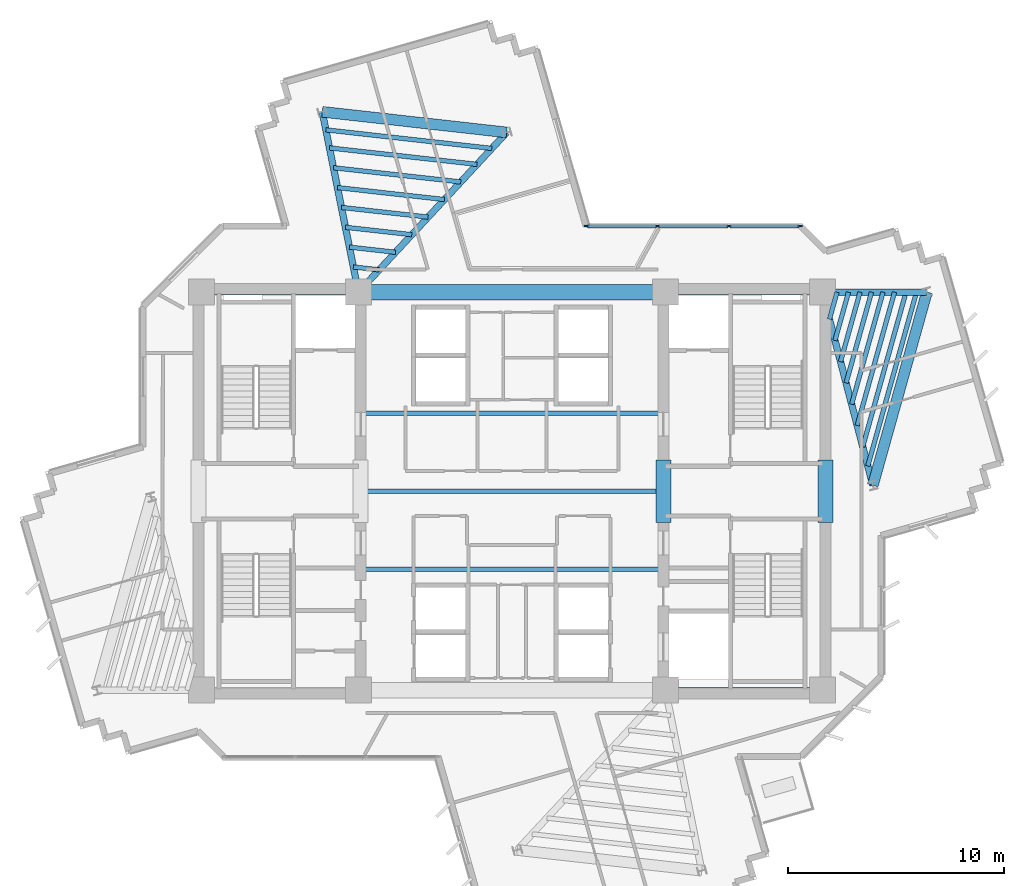
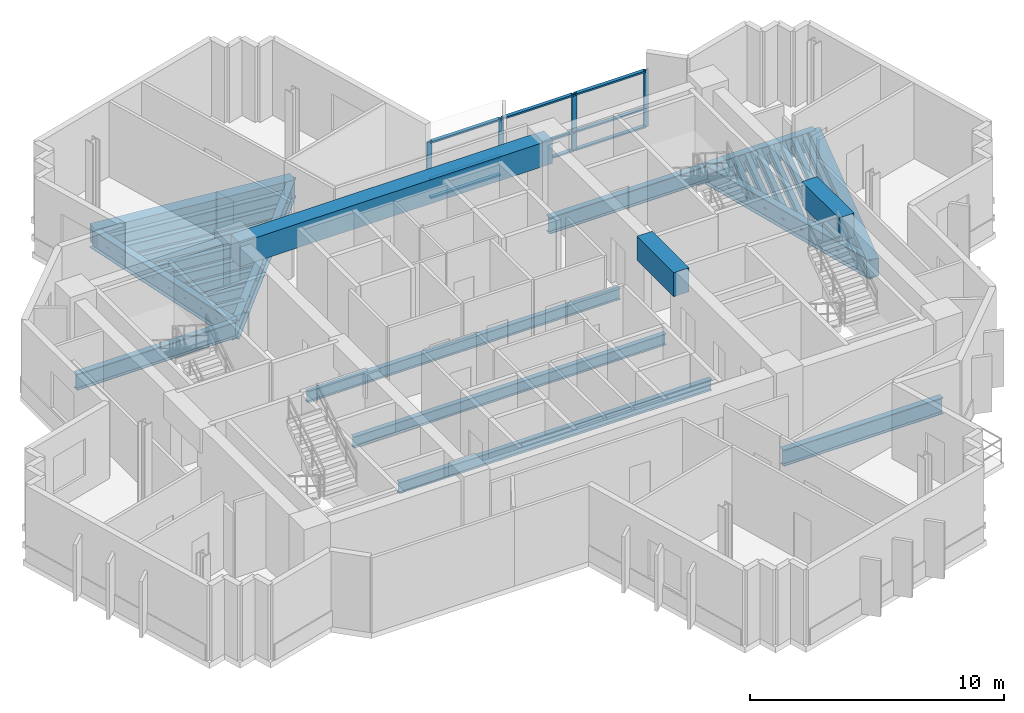
# One storey, part 3 of 14: 31 beams, 13 members, 1 element without a shape of its own.
"""IFC4 building model written with IfcOpenShell, lengths in metres."""

from ifc_helpers import new_model, si_unit, direction, frame, origin, origin_2d, place, context, subcontext, project, spatial, rectangle, i_section, extrude, source, transform, mapped, material, layer, layer_set, material_profile, profile_set, type_object, element, aggregate, save


model = new_model("IFC4")

# Units and contexts
model_context = context("Model", 3, precision=1e-05, world=origin(), true_north=direction((0.0, 1.0)))
body_context = subcontext(model_context, "Body", "Model", "MODEL_VIEW")
ifc_project = project(units=[si_unit("LENGTHUNIT", "METRE"), si_unit("AREAUNIT", "SQUARE_METRE"), si_unit("VOLUMEUNIT", "CUBIC_METRE"), si_unit("PLANEANGLEUNIT", "RADIAN"), si_unit("MASSUNIT", "GRAM", prefix="KILO")], contexts=[model_context])

# Site, building, storey
site_placement = place(None, origin())
site = spatial("IfcSite", under=ifc_project, at=site_placement, CompositionType="ELEMENT")
building_placement = place(site_placement, origin())
building = spatial("IfcBuilding", under=site, at=building_placement, Name="Zahravan Cultural Tower", CompositionType="ELEMENT")
storey_placement = place(building_placement, frame((0.0, 0.0, 205.800048828125)))
storey = spatial("IfcBuildingStorey", under=building, at=storey_placement, Name="L48", CompositionType="ELEMENT", Elevation=205.800048828125)

# Beams
ifc_material_1 = material(Name="Concrete C50/60", Category="concrete")
ifc_material_profile_1 = material_profile(ifc_material_1, rectangle(XDim=0.699951171875, YDim=1.14990234375, at=origin_2d()), Name="RC700X1150")
ifc_profile_set_1 = profile_set([ifc_material_profile_1], Name="Concrete C50/60")
beam_type_1 = type_object("IfcBeamType", Name="BM-LN-RC700X1150", PredefinedType="LINTEL", material=ifc_profile_set_1)
shared_shape_1 = source(origin(), body_context, "Body", "SweptSolid", [
    extrude(rectangle(XDim=0.699951171875, YDim=1.14990234375, at=origin_2d()), origin(), (0.0, 0.0, 1.0), 14.2001953125),
])
beam_1_placement = place(storey_placement, frame((28.89990234375, 36.199951171875, 3.044921875), z_axis=(1.0, 0.0, 0.0), x_axis=(0.0, 1.0, 0.0)))
element("IfcBeam", 1, at=beam_1_placement, inside=storey, type_object=beam_type_1, Name="L48 Beam LN-L48-N", PredefinedType="LINTEL", context=body_context, shape_type="MappedRepresentation", body=[
    mapped(shared_shape_1, transform((0.0, 0.0, 0.0), x_axis=(1.0, 0.0, 0.0), y_axis=(0.0, 1.0, 0.0), z_axis=(0.0, 0.0, 1.0), scale=1.0)),
])
shared_shape_2 = source(origin(), body_context, "Body", "SweptSolid", [
    extrude(rectangle(XDim=0.699951171875, YDim=1.14990234375, at=origin_2d()), origin(), (0.0, 0.0, 1.0), 2.89990234375),
])
for number, where, z_axis, x_axis, name in (
    (2, (43.0, 25.550048828125, 3.044921875), (0.0, 1.0, 0.0), (-1.0, 0.0, 0.0), "L48 Beam LN-L48-PEW"),
    (3, (50.5, 25.550048828125, 3.044921875), (0.0, 1.0, 0.0), (-1.0, 0.0, 0.0), "L48 Beam LN-L48-PEE"),
):
    element("IfcBeam", number, at=place(storey_placement, frame(where, z_axis=z_axis, x_axis=x_axis)), inside=storey, type_object=beam_type_1, Name=name, PredefinedType="LINTEL", context=body_context, shape_type="MappedRepresentation", body=[
        mapped(shared_shape_2, transform((0.0, 0.0, 0.0), x_axis=(1.0, 0.0, 0.0), y_axis=(0.0, 1.0, 0.0), z_axis=(0.0, 0.0, 1.0), scale=1.0)),
    ])
ifc_material_2 = material(Name="Steel ASTM A992 Grade 50", Category="steel")
ifc_material_profile_2 = material_profile(ifc_material_2, i_section(OverallWidth=0.26611328125, OverallDepth=0.780029296875, WebThickness=0.0166015625, FlangeThickness=0.030029296875, FilletRadius=0.01904296875, at=origin_2d()), Name="W30X148")
ifc_profile_set_2 = profile_set([ifc_material_profile_2], Name="Steel ASTM A992 Grade 50")
beam_type_2 = type_object("IfcBeamType", Name="BM-G-W30X148", PredefinedType="BEAM", material=ifc_profile_set_2)
shared_shape_3 = source(origin(), body_context, "Body", "SweptSolid", [
    extrude(i_section(OverallWidth=0.26611328125, OverallDepth=0.780029296875, WebThickness=0.0166015625, FlangeThickness=0.030029296875, FilletRadius=0.01904296875, at=origin_2d()), origin(), (0.0, 0.0, 1.0), 7.25),
])
for number, where, z_axis, x_axis, name in (
    (4, (21.64990234375, 36.199951171875, -0.670166015625), (1.0, 0.0, 0.0), (0.0, 1.0, 0.0), "L48 Beam BG-L48-02"),
    (5, (43.10009765625, 17.800048828125, -0.670166015625), (1.0, 0.0, 0.0), (0.0, 1.0, 0.0), "L48 Beam BG-L48-04"),
    (6, (43.10009765625, 36.199951171875, -0.670166015625), (1.0, 0.0, 0.0), (0.0, 1.0, 0.0), "L48 Beam BG-L48-05"),
):
    element("IfcBeam", number, at=place(storey_placement, frame(where, z_axis=z_axis, x_axis=x_axis)), inside=storey, type_object=beam_type_2, Name=name, PredefinedType="BEAM", context=body_context, shape_type="MappedRepresentation", body=[
        mapped(shared_shape_3, transform((0.0, 0.0, 0.0), x_axis=(1.0, 0.0, 0.0), y_axis=(0.0, 1.0, 0.0), z_axis=(0.0, 0.0, 1.0), scale=1.0)),
    ])
ifc_material_profile_3 = material_profile(ifc_material_2, i_section(OverallWidth=0.304931640625, OverallDepth=0.9189453125, WebThickness=0.017333984375, FlangeThickness=0.02783203125, FilletRadius=0.02392578125, at=origin_2d()), Name="W36X170")
ifc_profile_set_3 = profile_set([ifc_material_profile_3], Name="Steel ASTM A992 Grade 50")
beam_type_3 = type_object("IfcBeamType", Name="BM-G-W36X170", PredefinedType="BEAM", material=ifc_profile_set_3)
shared_shape_4 = source(origin(), body_context, "Body", "SweptSolid", [
    extrude(i_section(OverallWidth=0.304931640625, OverallDepth=0.9189453125, WebThickness=0.017333984375, FlangeThickness=0.02783203125, FilletRadius=0.02392578125, at=origin_2d()), origin(), (0.0, 0.0, 1.0), 9.22900390625),
])
beam_2_placement = place(storey_placement, frame((50.35009765625, 36.199951171875, -0.739501953125), z_axis=(0.252922608408, -0.967486513682, 0.0), x_axis=(0.967486513682, 0.252922608408, 0.0)))
element("IfcBeam", 7, at=beam_2_placement, inside=storey, type_object=beam_type_3, Name="L48 Beam BG-L48-11", PredefinedType="BEAM", context=body_context, shape_type="MappedRepresentation", body=[
    mapped(shared_shape_4, transform((0.0, 0.0, 0.0), x_axis=(1.0, 0.0, 0.0), y_axis=(0.0, 1.0, 0.0), z_axis=(0.0, 0.0, 1.0), scale=1.0)),
])
shared_shape_5 = source(origin(), body_context, "Body", "SweptSolid", [
    extrude(i_section(OverallWidth=0.304931640625, OverallDepth=0.9189453125, WebThickness=0.017333984375, FlangeThickness=0.02783203125, FilletRadius=0.02392578125, at=origin_2d()), origin(), (0.0, 0.0, 1.0), 4.834716796875),
])
beam_3_placement = place(storey_placement, frame((50.35009765625, 36.199951171875, -0.739501953125), z_axis=(0.99999920313, 0.001262433979, 0.0), x_axis=(-0.001262433979, 0.99999920313, 0.0)))
element("IfcBeam", 8, at=beam_3_placement, inside=storey, type_object=beam_type_3, Name="L48 Beam BG-L48-12", PredefinedType="BEAM", context=body_context, shape_type="MappedRepresentation", body=[
    mapped(shared_shape_5, transform((0.0, 0.0, 0.0), x_axis=(1.0, 0.0, 0.0), y_axis=(0.0, 1.0, 0.0), z_axis=(0.0, 0.0, 1.0), scale=1.0)),
])
shared_shape_6 = source(origin(), body_context, "Body", "SweptSolid", [
    extrude(i_section(OverallWidth=0.304931640625, OverallDepth=0.9189453125, WebThickness=0.017333984375, FlangeThickness=0.02783203125, FilletRadius=0.02392578125, at=origin_2d()), origin(), (0.0, 0.0, 1.0), 10.077880859375),
])
beam_4_placement = place(storey_placement, frame((28.89990234375, 36.199951171875, -0.739501953125), z_axis=(0.680170435587, 0.733054007938, 0.0), x_axis=(-0.733054007938, 0.680170435587, 0.0)))
element("IfcBeam", 9, at=beam_4_placement, inside=storey, type_object=beam_type_3, Name="L48 Beam BG-L48-13", PredefinedType="BEAM", context=body_context, shape_type="MappedRepresentation", body=[
    mapped(shared_shape_6, transform((0.0, 0.0, 0.0), x_axis=(1.0, 0.0, 0.0), y_axis=(0.0, 1.0, 0.0), z_axis=(0.0, 0.0, 1.0), scale=1.0)),
])
shared_shape_7 = source(origin(), body_context, "Body", "SweptSolid", [
    extrude(i_section(OverallWidth=0.304931640625, OverallDepth=0.9189453125, WebThickness=0.017333984375, FlangeThickness=0.02783203125, FilletRadius=0.02392578125, at=origin_2d()), origin(), (0.0, 0.0, 1.0), 8.50732421875),
])
beam_5_placement = place(storey_placement, frame((28.89990234375, 36.199951171875, -0.739501953125), z_axis=(-0.196524514012, 0.980498911469, 0.0), x_axis=(-0.980498911469, -0.196524514012, 0.0)))
element("IfcBeam", 10, at=beam_5_placement, inside=storey, type_object=beam_type_3, Name="L48 Beam BG-L48-14", PredefinedType="BEAM", context=body_context, shape_type="MappedRepresentation", body=[
    mapped(shared_shape_7, transform((0.0, 0.0, 0.0), x_axis=(1.0, 0.0, 0.0), y_axis=(0.0, 1.0, 0.0), z_axis=(0.0, 0.0, 1.0), scale=1.0)),
])
ifc_material_profile_4 = material_profile(ifc_material_1, rectangle(XDim=0.5, YDim=0.85009765625, at=origin_2d()), Name="RC500X850")
ifc_profile_set_4 = profile_set([ifc_material_profile_4], Name="Concrete C50/60")
beam_type_4 = type_object("IfcBeamType", Name="BM-SP-RC500X850", PredefinedType="SPANDREL", material=ifc_profile_set_4)
shared_shape_8 = source(origin(), body_context, "Body", "SweptSolid", [
    extrude(rectangle(XDim=0.5, YDim=0.85009765625, at=origin_2d()), origin(), (0.0, 0.0, 1.0), 9.2783203125),
])
beam_6_placement = place(storey_placement, frame((52.684326171875, 27.27099609375, -0.705078125), z_axis=(0.269497187032, 0.963001176625, 0.0), x_axis=(-0.963001176625, 0.269497187032, 0.0)))
element("IfcBeam", 11, at=beam_6_placement, inside=storey, type_object=beam_type_4, Name="L48 Beam SP-L48-17", PredefinedType="SPANDREL", context=body_context, shape_type="MappedRepresentation", body=[
    mapped(shared_shape_8, transform((0.0, 0.0, 0.0), x_axis=(1.0, 0.0, 0.0), y_axis=(0.0, 1.0, 0.0), z_axis=(0.0, 0.0, 1.0), scale=1.0)),
])
shared_shape_9 = source(origin(), body_context, "Body", "SweptSolid", [
    extrude(rectangle(XDim=0.5, YDim=0.85009765625, at=origin_2d()), origin(), (0.0, 0.0, 1.0), 8.579833984375),
])
beam_7_placement = place(storey_placement, frame((35.754638671875, 43.587646484375, -0.705078125), z_axis=(-0.9938040105, 0.11114669907, 0.0), x_axis=(-0.11114669907, -0.9938040105, 0.0)))
element("IfcBeam", 12, at=beam_7_placement, inside=storey, type_object=beam_type_4, Name="L48 Beam SP-L48-18", PredefinedType="SPANDREL", context=body_context, shape_type="MappedRepresentation", body=[
    mapped(shared_shape_9, transform((0.0, 0.0, 0.0), x_axis=(1.0, 0.0, 0.0), y_axis=(0.0, 1.0, 0.0), z_axis=(0.0, 0.0, 1.0), scale=1.0)),
])
ifc_material_profile_5 = material_profile(ifc_material_2, i_section(OverallWidth=0.2099609375, OverallDepth=0.532958984375, WebThickness=0.01025390625, FlangeThickness=0.015625, FilletRadius=0.013916015625, at=origin_2d()), Name="W21X62")
ifc_profile_set_5 = profile_set([ifc_material_profile_5], Name="Steel ASTM A992 Grade 50")
beam_type_5 = type_object("IfcBeamType", Name="BM-J-W21X62", PredefinedType="JOIST", material=ifc_profile_set_5)
shared_shape_10 = source(origin(), body_context, "Body", "SweptSolid", [
    extrude(i_section(OverallWidth=0.2099609375, OverallDepth=0.532958984375, WebThickness=0.01025390625, FlangeThickness=0.015625, FilletRadius=0.013916015625, at=origin_2d()), origin(), (0.0, 0.0, 1.0), 14.2001953125),
])
for number, where, z_axis, x_axis, name in (
    (13, (28.89990234375, 23.39990234375, -0.546630859375), (1.0, 0.0, 0.0), (0.0, 1.0, 0.0), "L48 Beam BJ-L48-19"),
    (14, (28.89990234375, 27.0, -0.546630859375), (1.0, 0.0, 0.0), (0.0, 1.0, 0.0), "L48 Beam BJ-L48-20"),
    (15, (28.89990234375, 30.60009765625, -0.546630859375), (1.0, 0.0, 0.0), (0.0, 1.0, 0.0), "L48 Beam BJ-L48-21"),
):
    element("IfcBeam", number, at=place(storey_placement, frame(where, z_axis=z_axis, x_axis=x_axis)), inside=storey, type_object=beam_type_5, Name=name, PredefinedType="JOIST", context=body_context, shape_type="MappedRepresentation", body=[
        mapped(shared_shape_10, transform((0.0, 0.0, 0.0), x_axis=(1.0, 0.0, 0.0), y_axis=(0.0, 1.0, 0.0), z_axis=(0.0, 0.0, 1.0), scale=1.0)),
    ])
shared_shape_11 = source(origin(), body_context, "Body", "SweptSolid", [
    extrude(i_section(OverallWidth=0.2099609375, OverallDepth=0.532958984375, WebThickness=0.01025390625, FlangeThickness=0.015625, FilletRadius=0.013916015625, at=origin_2d()), origin(), (0.0, 0.0, 1.0), 1.299072265625),
])
beam_8_placement = place(storey_placement, frame((50.6767578125, 34.949951171875, -0.546630859375), z_axis=(0.269504444708, 0.962999145525, 0.0), x_axis=(-0.962999145525, 0.269504444708, 0.0)))
element("IfcBeam", 16, at=beam_8_placement, inside=storey, type_object=beam_type_5, Name="L48 Beam BJ-L48-38", PredefinedType="JOIST", context=body_context, shape_type="MappedRepresentation", body=[
    mapped(shared_shape_11, transform((0.0, 0.0, 0.0), x_axis=(1.0, 0.0, 0.0), y_axis=(0.0, 1.0, 0.0), z_axis=(0.0, 0.0, 1.0), scale=1.0)),
])
shared_shape_12 = source(origin(), body_context, "Body", "SweptSolid", [
    extrude(i_section(OverallWidth=0.2099609375, OverallDepth=0.532958984375, WebThickness=0.01025390625, FlangeThickness=0.015625, FilletRadius=0.013916015625, at=origin_2d()), origin(), (0.0, 0.0, 1.0), 2.3193359375),
])
beam_9_placement = place(storey_placement, frame((50.93359375, 33.9677734375, -0.546630859375), z_axis=(0.269462038626, 0.963011012263, 0.0), x_axis=(-0.963011012263, 0.269462038626, 0.0)))
element("IfcBeam", 17, at=beam_9_placement, inside=storey, type_object=beam_type_5, Name="L48 Beam BJ-L48-39", PredefinedType="JOIST", context=body_context, shape_type="MappedRepresentation", body=[
    mapped(shared_shape_12, transform((0.0, 0.0, 0.0), x_axis=(1.0, 0.0, 0.0), y_axis=(0.0, 1.0, 0.0), z_axis=(0.0, 0.0, 1.0), scale=1.0)),
])
shared_shape_13 = source(origin(), body_context, "Body", "SweptSolid", [
    extrude(i_section(OverallWidth=0.2099609375, OverallDepth=0.532958984375, WebThickness=0.01025390625, FlangeThickness=0.015625, FilletRadius=0.013916015625, at=origin_2d()), origin(), (0.0, 0.0, 1.0), 3.340087890625),
])
beam_10_placement = place(storey_placement, frame((51.190185546875, 32.985595703125, -0.546630859375), z_axis=(0.269562146951, 0.962982995141, 0.0), x_axis=(-0.962982995141, 0.269562146951, 0.0)))
element("IfcBeam", 18, at=beam_10_placement, inside=storey, type_object=beam_type_5, Name="L48 Beam BJ-L48-40", PredefinedType="JOIST", context=body_context, shape_type="MappedRepresentation", body=[
    mapped(shared_shape_13, transform((0.0, 0.0, 0.0), x_axis=(1.0, 0.0, 0.0), y_axis=(0.0, 1.0, 0.0), z_axis=(0.0, 0.0, 1.0), scale=1.0)),
])
shared_shape_14 = source(origin(), body_context, "Body", "SweptSolid", [
    extrude(i_section(OverallWidth=0.2099609375, OverallDepth=0.532958984375, WebThickness=0.01025390625, FlangeThickness=0.015625, FilletRadius=0.013916015625, at=origin_2d()), origin(), (0.0, 0.0, 1.0), 4.36083984375),
])
beam_11_placement = place(storey_placement, frame((51.447021484375, 32.00341796875, -0.546630859375), z_axis=(0.269511557673, 0.962997154866, 0.0), x_axis=(-0.962997154866, 0.269511557673, 0.0)))
element("IfcBeam", 19, at=beam_11_placement, inside=storey, type_object=beam_type_5, Name="L48 Beam BJ-L48-41", PredefinedType="JOIST", context=body_context, shape_type="MappedRepresentation", body=[
    mapped(shared_shape_14, transform((0.0, 0.0, 0.0), x_axis=(1.0, 0.0, 0.0), y_axis=(0.0, 1.0, 0.0), z_axis=(0.0, 0.0, 1.0), scale=1.0)),
])
shared_shape_15 = source(origin(), body_context, "Body", "SweptSolid", [
    extrude(i_section(OverallWidth=0.2099609375, OverallDepth=0.532958984375, WebThickness=0.01025390625, FlangeThickness=0.015625, FilletRadius=0.013916015625, at=origin_2d()), origin(), (0.0, 0.0, 1.0), 5.3818359375),
])
beam_12_placement = place(storey_placement, frame((51.703857421875, 31.02099609375, -0.546630859375), z_axis=(0.269510454638, 0.962997463569, 0.0), x_axis=(-0.962997463569, 0.269510454638, 0.0)))
element("IfcBeam", 20, at=beam_12_placement, inside=storey, type_object=beam_type_5, Name="L48 Beam BJ-L48-42", PredefinedType="JOIST", context=body_context, shape_type="MappedRepresentation", body=[
    mapped(shared_shape_15, transform((0.0, 0.0, 0.0), x_axis=(1.0, 0.0, 0.0), y_axis=(0.0, 1.0, 0.0), z_axis=(0.0, 0.0, 1.0), scale=1.0)),
])
shared_shape_16 = source(origin(), body_context, "Body", "SweptSolid", [
    extrude(i_section(OverallWidth=0.2099609375, OverallDepth=0.532958984375, WebThickness=0.01025390625, FlangeThickness=0.015625, FilletRadius=0.013916015625, at=origin_2d()), origin(), (0.0, 0.0, 1.0), 6.402099609375),
])
beam_13_placement = place(storey_placement, frame((51.960693359375, 30.038818359375, -0.546630859375), z_axis=(0.269494133533, 0.963002031146, 0.0), x_axis=(-0.963002031146, 0.269494133533, 0.0)))
element("IfcBeam", 21, at=beam_13_placement, inside=storey, type_object=beam_type_5, Name="L48 Beam BJ-L48-43", PredefinedType="JOIST", context=body_context, shape_type="MappedRepresentation", body=[
    mapped(shared_shape_16, transform((0.0, 0.0, 0.0), x_axis=(1.0, 0.0, 0.0), y_axis=(0.0, 1.0, 0.0), z_axis=(0.0, 0.0, 1.0), scale=1.0)),
])
shared_shape_17 = source(origin(), body_context, "Body", "SweptSolid", [
    extrude(i_section(OverallWidth=0.2099609375, OverallDepth=0.532958984375, WebThickness=0.01025390625, FlangeThickness=0.015625, FilletRadius=0.013916015625, at=origin_2d()), origin(), (0.0, 0.0, 1.0), 7.4228515625),
])
beam_14_placement = place(storey_placement, frame((52.21728515625, 29.056640625, -0.546630859375), z_axis=(0.269504266128, 0.962999195503, 0.0), x_axis=(-0.962999195503, 0.269504266128, 0.0)))
element("IfcBeam", 22, at=beam_14_placement, inside=storey, type_object=beam_type_5, Name="L48 Beam BJ-L48-44", PredefinedType="JOIST", context=body_context, shape_type="MappedRepresentation", body=[
    mapped(shared_shape_17, transform((0.0, 0.0, 0.0), x_axis=(1.0, 0.0, 0.0), y_axis=(0.0, 1.0, 0.0), z_axis=(0.0, 0.0, 1.0), scale=1.0)),
])
shared_shape_18 = source(origin(), body_context, "Body", "SweptSolid", [
    extrude(i_section(OverallWidth=0.2099609375, OverallDepth=0.532958984375, WebThickness=0.01025390625, FlangeThickness=0.015625, FilletRadius=0.013916015625, at=origin_2d()), origin(), (0.0, 0.0, 1.0), 8.350830078125),
])
beam_15_placement = place(storey_placement, frame((52.450927734375, 28.163818359375, -0.546630859375), z_axis=(0.269496539555, 0.963001357822, 0.0), x_axis=(-0.963001357822, 0.269496539555, 0.0)))
element("IfcBeam", 23, at=beam_15_placement, inside=storey, type_object=beam_type_5, Name="L48 Beam BJ-L48-45", PredefinedType="JOIST", context=body_context, shape_type="MappedRepresentation", body=[
    mapped(shared_shape_18, transform((0.0, 0.0, 0.0), x_axis=(1.0, 0.0, 0.0), y_axis=(0.0, 1.0, 0.0), z_axis=(0.0, 0.0, 1.0), scale=1.0)),
])
shared_shape_19 = source(origin(), body_context, "Body", "SweptSolid", [
    extrude(i_section(OverallWidth=0.2099609375, OverallDepth=0.532958984375, WebThickness=0.01025390625, FlangeThickness=0.015625, FilletRadius=0.013916015625, at=origin_2d()), origin(), (0.0, 0.0, 1.0), 1.201171875),
])
beam_16_placement = place(storey_placement, frame((29.859619140625, 37.234375, -0.546630859375), z_axis=(-0.99379916149, 0.111190047317, 0.0), x_axis=(-0.111190047317, -0.99379916149, 0.0)))
element("IfcBeam", 24, at=beam_16_placement, inside=storey, type_object=beam_type_5, Name="L48 Beam BJ-L48-46", PredefinedType="JOIST", context=body_context, shape_type="MappedRepresentation", body=[
    mapped(shared_shape_19, transform((0.0, 0.0, 0.0), x_axis=(1.0, 0.0, 0.0), y_axis=(0.0, 1.0, 0.0), z_axis=(0.0, 0.0, 1.0), scale=1.0)),
])
shared_shape_20 = source(origin(), body_context, "Body", "SweptSolid", [
    extrude(i_section(OverallWidth=0.2099609375, OverallDepth=0.532958984375, WebThickness=0.01025390625, FlangeThickness=0.015625, FilletRadius=0.013916015625, at=origin_2d()), origin(), (0.0, 0.0, 1.0), 2.144775390625),
])
beam_17_placement = place(storey_placement, frame((30.613525390625, 38.046875, -0.546630859375), z_axis=(-0.993797370806, 0.111206051, 0.0), x_axis=(-0.111206051, -0.993797370806, 0.0)))
element("IfcBeam", 25, at=beam_17_placement, inside=storey, type_object=beam_type_5, Name="L48 Beam BJ-L48-47", PredefinedType="JOIST", context=body_context, shape_type="MappedRepresentation", body=[
    mapped(shared_shape_20, transform((0.0, 0.0, 0.0), x_axis=(1.0, 0.0, 0.0), y_axis=(0.0, 1.0, 0.0), z_axis=(0.0, 0.0, 1.0), scale=1.0)),
])
shared_shape_21 = source(origin(), body_context, "Body", "SweptSolid", [
    extrude(i_section(OverallWidth=0.2099609375, OverallDepth=0.532958984375, WebThickness=0.01025390625, FlangeThickness=0.015625, FilletRadius=0.013916015625, at=origin_2d()), origin(), (0.0, 0.0, 1.0), 3.088623046875),
])
beam_18_placement = place(storey_placement, frame((31.36767578125, 38.859619140625, -0.546630859375), z_axis=(-0.993805407368, 0.111134208443, 0.0), x_axis=(-0.111134208443, -0.993805407368, 0.0)))
element("IfcBeam", 26, at=beam_18_placement, inside=storey, type_object=beam_type_5, Name="L48 Beam BJ-L48-48", PredefinedType="JOIST", context=body_context, shape_type="MappedRepresentation", body=[
    mapped(shared_shape_21, transform((0.0, 0.0, 0.0), x_axis=(1.0, 0.0, 0.0), y_axis=(0.0, 1.0, 0.0), z_axis=(0.0, 0.0, 1.0), scale=1.0)),
])
shared_shape_22 = source(origin(), body_context, "Body", "SweptSolid", [
    extrude(i_section(OverallWidth=0.2099609375, OverallDepth=0.532958984375, WebThickness=0.01025390625, FlangeThickness=0.015625, FilletRadius=0.013916015625, at=origin_2d()), origin(), (0.0, 0.0, 1.0), 4.0322265625),
])
beam_19_placement = place(storey_placement, frame((32.12158203125, 39.672119140625, -0.546630859375), z_axis=(-0.993802245601, 0.11116247855, 0.0), x_axis=(-0.11116247855, -0.993802245601, 0.0)))
element("IfcBeam", 27, at=beam_19_placement, inside=storey, type_object=beam_type_5, Name="L48 Beam BJ-L48-49", PredefinedType="JOIST", context=body_context, shape_type="MappedRepresentation", body=[
    mapped(shared_shape_22, transform((0.0, 0.0, 0.0), x_axis=(1.0, 0.0, 0.0), y_axis=(0.0, 1.0, 0.0), z_axis=(0.0, 0.0, 1.0), scale=1.0)),
])
shared_shape_23 = source(origin(), body_context, "Body", "SweptSolid", [
    extrude(i_section(OverallWidth=0.2099609375, OverallDepth=0.532958984375, WebThickness=0.01025390625, FlangeThickness=0.015625, FilletRadius=0.013916015625, at=origin_2d()), origin(), (0.0, 0.0, 1.0), 4.97607421875),
])
beam_20_placement = place(storey_placement, frame((32.875732421875, 40.48486328125, -0.546630859375), z_axis=(-0.993806308517, 0.111126149723, 0.0), x_axis=(-0.111126149723, -0.993806308517, 0.0)))
element("IfcBeam", 28, at=beam_20_placement, inside=storey, type_object=beam_type_5, Name="L48 Beam BJ-L48-50", PredefinedType="JOIST", context=body_context, shape_type="MappedRepresentation", body=[
    mapped(shared_shape_23, transform((0.0, 0.0, 0.0), x_axis=(1.0, 0.0, 0.0), y_axis=(0.0, 1.0, 0.0), z_axis=(0.0, 0.0, 1.0), scale=1.0)),
])
shared_shape_24 = source(origin(), body_context, "Body", "SweptSolid", [
    extrude(i_section(OverallWidth=0.2099609375, OverallDepth=0.532958984375, WebThickness=0.01025390625, FlangeThickness=0.015625, FilletRadius=0.013916015625, at=origin_2d()), origin(), (0.0, 0.0, 1.0), 5.919921875),
])
beam_21_placement = place(storey_placement, frame((33.629638671875, 41.29736328125, -0.546630859375), z_axis=(-0.993804520866, 0.111142135602, 0.0), x_axis=(-0.111142135602, -0.993804520866, 0.0)))
element("IfcBeam", 29, at=beam_21_placement, inside=storey, type_object=beam_type_5, Name="L48 Beam BJ-L48-51", PredefinedType="JOIST", context=body_context, shape_type="MappedRepresentation", body=[
    mapped(shared_shape_24, transform((0.0, 0.0, 0.0), x_axis=(1.0, 0.0, 0.0), y_axis=(0.0, 1.0, 0.0), z_axis=(0.0, 0.0, 1.0), scale=1.0)),
])
shared_shape_25 = source(origin(), body_context, "Body", "SweptSolid", [
    extrude(i_section(OverallWidth=0.2099609375, OverallDepth=0.532958984375, WebThickness=0.01025390625, FlangeThickness=0.015625, FilletRadius=0.013916015625, at=origin_2d()), origin(), (0.0, 0.0, 1.0), 6.86376953125),
])
beam_22_placement = place(storey_placement, frame((34.3837890625, 42.110107421875, -0.546630859375), z_axis=(-0.993803224695, 0.111153725024, 0.0), x_axis=(-0.111153725024, -0.993803224695, 0.0)))
element("IfcBeam", 30, at=beam_22_placement, inside=storey, type_object=beam_type_5, Name="L48 Beam BJ-L48-52", PredefinedType="JOIST", context=body_context, shape_type="MappedRepresentation", body=[
    mapped(shared_shape_25, transform((0.0, 0.0, 0.0), x_axis=(1.0, 0.0, 0.0), y_axis=(0.0, 1.0, 0.0), z_axis=(0.0, 0.0, 1.0), scale=1.0)),
])
shared_shape_26 = source(origin(), body_context, "Body", "SweptSolid", [
    extrude(i_section(OverallWidth=0.2099609375, OverallDepth=0.532958984375, WebThickness=0.01025390625, FlangeThickness=0.015625, FilletRadius=0.013916015625, at=origin_2d()), origin(), (0.0, 0.0, 1.0), 7.7216796875),
])
beam_23_placement = place(storey_placement, frame((35.069091796875, 42.848876953125, -0.546630859375), z_axis=(-0.993805212115, 0.11113595446, 0.0), x_axis=(-0.11113595446, -0.993805212115, 0.0)))
element("IfcBeam", 31, at=beam_23_placement, inside=storey, type_object=beam_type_5, Name="L48 Beam BJ-L48-53", PredefinedType="JOIST", context=body_context, shape_type="MappedRepresentation", body=[
    mapped(shared_shape_26, transform((0.0, 0.0, 0.0), x_axis=(1.0, 0.0, 0.0), y_axis=(0.0, 1.0, 0.0), z_axis=(0.0, 0.0, 1.0), scale=1.0)),
])

# Curtain wall, members
ifc_material_3 = material(Name="Anodised bronze-aluminium mullion", Category="aluminium")
ifc_layer = layer(ifc_material_3, 0.219970703125)
ifc_layer_set = layer_set([ifc_layer], Name="Anodised bronze-aluminium mullion")
curtain_wall_type = type_object("IfcCurtainWallType", Name="CW-SYS-1", PredefinedType="USERDEFINED", material=ifc_layer_set)
curtain_wall_placement = place(storey_placement, origin())
curtain_wall = element("IfcCurtainWall", 32, at=curtain_wall_placement, inside=storey, type_object=curtain_wall_type, Name="L48 Recessed Curtain Wall CW-1.2", ObjectType="RECESSED GLAZING", PredefinedType="USERDEFINED")
ifc_material_profile_6 = material_profile(ifc_material_3, rectangle(XDim=0.080078125, YDim=0.219970703125, at=origin_2d()), Name="AL-M80X220")
ifc_profile_set_6 = profile_set([ifc_material_profile_6], Name="Anodised bronze-aluminium mullion")
member_type_1 = type_object("IfcMemberType", Name="CWM-CW-1", PredefinedType="MULLION", material=ifc_profile_set_6)
shared_shape_27 = source(origin(), body_context, "Body", "SweptSolid", [
    extrude(rectangle(XDim=0.080078125, YDim=0.219970703125, at=origin_2d()), origin(), (0.0, 0.0, 1.0), 2.739990234375),
])
member_1_placement = place(storey_placement, frame((39.460693359375, 39.260009765625, 0.0), z_axis=(0.0, 0.0, 1.0), x_axis=(0.0, 1.0, 0.0)))
member_1 = element("IfcMember", 33, at=member_1_placement, type_object=member_type_1, Name="CW-1 mullion 1", PredefinedType="MULLION", context=body_context, shape_type="MappedRepresentation", body=[
    mapped(shared_shape_27, transform((0.0, 0.0, 0.0), x_axis=(1.0, 0.0, 0.0), y_axis=(0.0, 1.0, 0.0), z_axis=(0.0, 0.0, 1.0), scale=1.0)),
])
member_2_placement = place(storey_placement, frame((42.727783203125, 39.260009765625, 0.0), z_axis=(0.0, 0.0, 1.0), x_axis=(0.0, 1.0, 0.0)))
member_2 = element("IfcMember", 34, at=member_2_placement, type_object=member_type_1, Name="CW-1 mullion 2", PredefinedType="MULLION", context=body_context, shape_type="MappedRepresentation", body=[
    mapped(shared_shape_27, transform((0.0, 0.0, 0.0), x_axis=(1.0, 0.0, 0.0), y_axis=(0.0, 1.0, 0.0), z_axis=(0.0, 0.0, 1.0), scale=1.0)),
])
member_3_placement = place(storey_placement, frame((46.034912109375, 39.260009765625, 0.0), z_axis=(0.0, 0.0, 1.0), x_axis=(0.0, 1.0, 0.0)))
member_3 = element("IfcMember", 35, at=member_3_placement, type_object=member_type_1, Name="CW-1 mullion 3", PredefinedType="MULLION", context=body_context, shape_type="MappedRepresentation", body=[
    mapped(shared_shape_27, transform((0.0, 0.0, 0.0), x_axis=(1.0, 0.0, 0.0), y_axis=(0.0, 1.0, 0.0), z_axis=(0.0, 0.0, 1.0), scale=1.0)),
])
member_4_placement = place(storey_placement, frame((49.302001953125, 39.260009765625, 0.0), z_axis=(0.0, 0.0, 1.0), x_axis=(0.0, 1.0, 0.0)))
member_4 = element("IfcMember", 36, at=member_4_placement, type_object=member_type_1, Name="CW-1 mullion 4", PredefinedType="MULLION", context=body_context, shape_type="MappedRepresentation", body=[
    mapped(shared_shape_27, transform((0.0, 0.0, 0.0), x_axis=(1.0, 0.0, 0.0), y_axis=(0.0, 1.0, 0.0), z_axis=(0.0, 0.0, 1.0), scale=1.0)),
])
ifc_material_profile_7 = material_profile(ifc_material_3, rectangle(XDim=0.159912109375, YDim=0.080078125, at=origin_2d()), Name="AL-T80X160")
ifc_profile_set_7 = profile_set([ifc_material_profile_7], Name="Anodised bronze-aluminium mullion")
member_type_2 = type_object("IfcMemberType", Name="CWT-CW-1", PredefinedType="USERDEFINED", material=ifc_profile_set_7)
shared_shape_28 = source(origin(), body_context, "Body", "SweptSolid", [
    extrude(rectangle(XDim=0.159912109375, YDim=0.080078125, at=origin_2d()), origin(), (0.0, 0.0, 1.0), 3.18701171875),
])
member_5_placement = place(storey_placement, frame((39.500732421875, 39.260009765625, 0.0400390625), z_axis=(1.0, 0.0, 0.0), x_axis=(0.0, 1.0, 0.0)))
member_5 = element("IfcMember", 37, at=member_5_placement, type_object=member_type_2, Name="CW-1 transom 1.1", ObjectType="TRANSOM", PredefinedType="USERDEFINED", context=body_context, shape_type="MappedRepresentation", body=[
    mapped(shared_shape_28, transform((0.0, 0.0, 0.0), x_axis=(1.0, 0.0, 0.0), y_axis=(0.0, 1.0, 0.0), z_axis=(0.0, 0.0, 1.0), scale=1.0)),
])
member_6_placement = place(storey_placement, frame((39.500732421875, 39.260009765625, 0.89990234375), z_axis=(1.0, 0.0, 0.0), x_axis=(0.0, 1.0, 0.0)))
member_6 = element("IfcMember", 38, at=member_6_placement, type_object=member_type_2, Name="CW-1 transom 1.2", ObjectType="TRANSOM", PredefinedType="USERDEFINED", context=body_context, shape_type="MappedRepresentation", body=[
    mapped(shared_shape_28, transform((0.0, 0.0, 0.0), x_axis=(1.0, 0.0, 0.0), y_axis=(0.0, 1.0, 0.0), z_axis=(0.0, 0.0, 1.0), scale=1.0)),
])
member_7_placement = place(storey_placement, frame((39.500732421875, 39.260009765625, 2.699951171875), z_axis=(1.0, 0.0, 0.0), x_axis=(0.0, 1.0, 0.0)))
member_7 = element("IfcMember", 39, at=member_7_placement, type_object=member_type_2, Name="CW-1 transom 1.3", ObjectType="TRANSOM", PredefinedType="USERDEFINED", context=body_context, shape_type="MappedRepresentation", body=[
    mapped(shared_shape_28, transform((0.0, 0.0, 0.0), x_axis=(1.0, 0.0, 0.0), y_axis=(0.0, 1.0, 0.0), z_axis=(0.0, 0.0, 1.0), scale=1.0)),
])
member_8_placement = place(storey_placement, frame((46.074951171875, 39.260009765625, 0.0400390625), z_axis=(1.0, 0.0, 0.0), x_axis=(0.0, 1.0, 0.0)))
member_8 = element("IfcMember", 40, at=member_8_placement, type_object=member_type_2, Name="CW-1 transom 3.1", ObjectType="TRANSOM", PredefinedType="USERDEFINED", context=body_context, shape_type="MappedRepresentation", body=[
    mapped(shared_shape_28, transform((0.0, 0.0, 0.0), x_axis=(1.0, 0.0, 0.0), y_axis=(0.0, 1.0, 0.0), z_axis=(0.0, 0.0, 1.0), scale=1.0)),
])
member_9_placement = place(storey_placement, frame((46.074951171875, 39.260009765625, 0.89990234375), z_axis=(1.0, 0.0, 0.0), x_axis=(0.0, 1.0, 0.0)))
member_9 = element("IfcMember", 41, at=member_9_placement, type_object=member_type_2, Name="CW-1 transom 3.2", ObjectType="TRANSOM", PredefinedType="USERDEFINED", context=body_context, shape_type="MappedRepresentation", body=[
    mapped(shared_shape_28, transform((0.0, 0.0, 0.0), x_axis=(1.0, 0.0, 0.0), y_axis=(0.0, 1.0, 0.0), z_axis=(0.0, 0.0, 1.0), scale=1.0)),
])
member_10_placement = place(storey_placement, frame((46.074951171875, 39.260009765625, 2.699951171875), z_axis=(1.0, 0.0, 0.0), x_axis=(0.0, 1.0, 0.0)))
member_10 = element("IfcMember", 42, at=member_10_placement, type_object=member_type_2, Name="CW-1 transom 3.3", ObjectType="TRANSOM", PredefinedType="USERDEFINED", context=body_context, shape_type="MappedRepresentation", body=[
    mapped(shared_shape_28, transform((0.0, 0.0, 0.0), x_axis=(1.0, 0.0, 0.0), y_axis=(0.0, 1.0, 0.0), z_axis=(0.0, 0.0, 1.0), scale=1.0)),
])
shared_shape_29 = source(origin(), body_context, "Body", "SweptSolid", [
    extrude(rectangle(XDim=0.159912109375, YDim=0.080078125, at=origin_2d()), origin(), (0.0, 0.0, 1.0), 3.22705078125),
])
member_11_placement = place(storey_placement, frame((42.767822265625, 39.260009765625, 0.0400390625), z_axis=(1.0, 0.0, 0.0), x_axis=(0.0, 1.0, 0.0)))
member_11 = element("IfcMember", 43, at=member_11_placement, type_object=member_type_2, Name="CW-1 transom 2.1", ObjectType="TRANSOM", PredefinedType="USERDEFINED", context=body_context, shape_type="MappedRepresentation", body=[
    mapped(shared_shape_29, transform((0.0, 0.0, 0.0), x_axis=(1.0, 0.0, 0.0), y_axis=(0.0, 1.0, 0.0), z_axis=(0.0, 0.0, 1.0), scale=1.0)),
])
member_12_placement = place(storey_placement, frame((42.767822265625, 39.260009765625, 0.89990234375), z_axis=(1.0, 0.0, 0.0), x_axis=(0.0, 1.0, 0.0)))
member_12 = element("IfcMember", 44, at=member_12_placement, type_object=member_type_2, Name="CW-1 transom 2.2", ObjectType="TRANSOM", PredefinedType="USERDEFINED", context=body_context, shape_type="MappedRepresentation", body=[
    mapped(shared_shape_29, transform((0.0, 0.0, 0.0), x_axis=(1.0, 0.0, 0.0), y_axis=(0.0, 1.0, 0.0), z_axis=(0.0, 0.0, 1.0), scale=1.0)),
])
member_13_placement = place(storey_placement, frame((42.767822265625, 39.260009765625, 2.699951171875), z_axis=(1.0, 0.0, 0.0), x_axis=(0.0, 1.0, 0.0)))
member_13 = element("IfcMember", 45, at=member_13_placement, type_object=member_type_2, Name="CW-1 transom 2.3", ObjectType="TRANSOM", PredefinedType="USERDEFINED", context=body_context, shape_type="MappedRepresentation", body=[
    mapped(shared_shape_29, transform((0.0, 0.0, 0.0), x_axis=(1.0, 0.0, 0.0), y_axis=(0.0, 1.0, 0.0), z_axis=(0.0, 0.0, 1.0), scale=1.0)),
])
aggregate(curtain_wall, [member_1, member_2, member_3, member_4, member_5, member_6, member_7, member_11, member_12, member_13, member_8, member_9, member_10])

save(model, "model.ifc")
